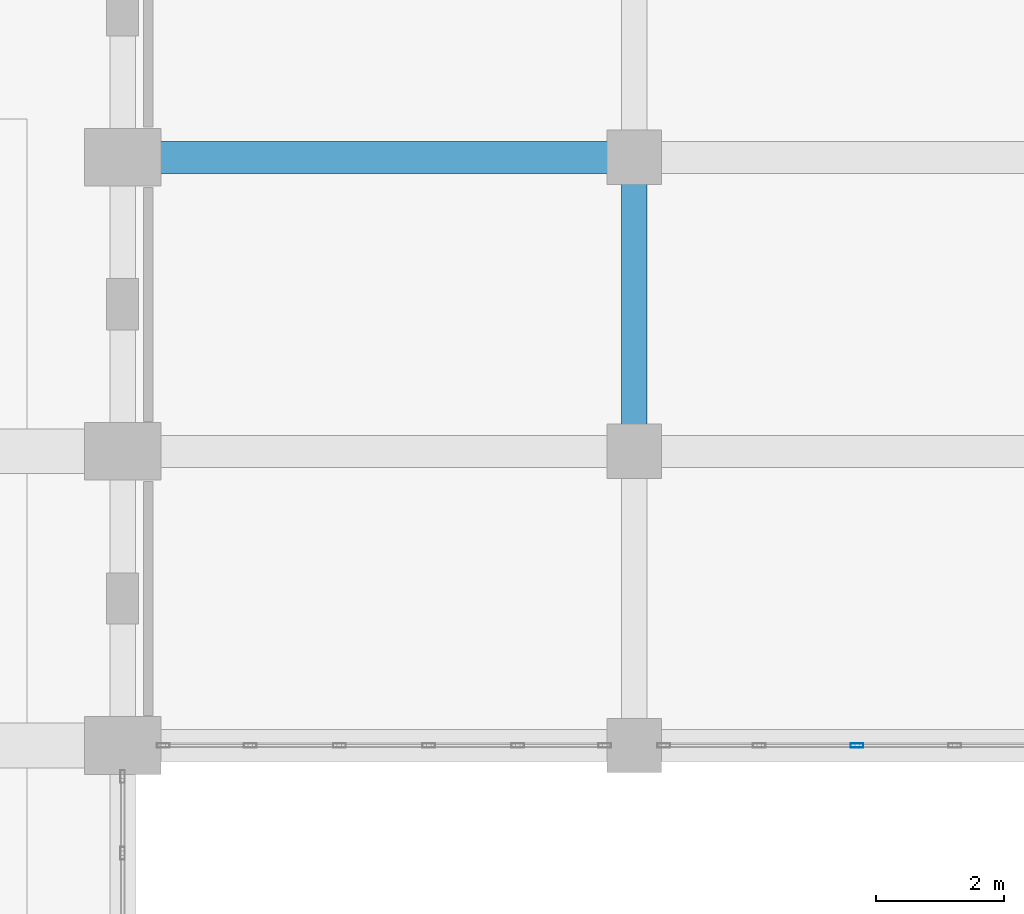
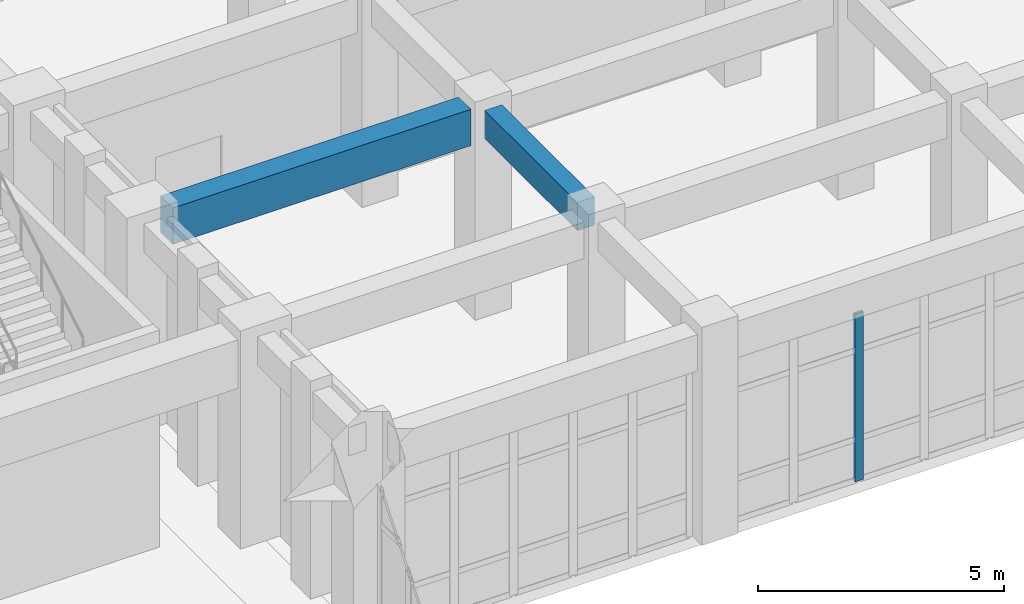
# One storey, part 43 of 84: 2 beams, 1 member, 1 element without a shape of its own.
"""IFC4 building model written with IfcOpenShell, lengths in metres."""

from ifc_helpers import new_model, si_unit, direction, frame, origin, origin_2d, place, context, subcontext, project, spatial, rectangle, hollow_rectangle, extrude, material, layer, layer_set, material_profile, profile_set, type_object, element, aggregate, save


model = new_model("IFC4")

# Units and contexts
model_context = context("Model", 3, precision=1e-05, world=origin(), true_north=direction((0.0, 1.0)))
body_context = subcontext(model_context, "Body", "Model", "MODEL_VIEW")
ifc_project = project(units=[si_unit("LENGTHUNIT", "METRE"), si_unit("AREAUNIT", "SQUARE_METRE"), si_unit("VOLUMEUNIT", "CUBIC_METRE"), si_unit("PLANEANGLEUNIT", "RADIAN"), si_unit("MASSUNIT", "GRAM", prefix="KILO")], contexts=[model_context])

# Site, building, storey
site_placement = place(None, origin())
site = spatial("IfcSite", under=ifc_project, at=site_placement, CompositionType="ELEMENT")
building_placement = place(site_placement, origin())
building = spatial("IfcBuilding", under=site, at=building_placement, Name="Muzn Square Opera House", CompositionType="ELEMENT")
storey_placement = place(building_placement, origin())
storey = spatial("IfcBuildingStorey", under=building, at=storey_placement, Name="L00", CompositionType="ELEMENT", Elevation=0.0)

# Curtain wall, member
ifc_material_1 = material(Name="Low-E laminated acoustic double glazing", Category="glass")
ifc_layer = layer(ifc_material_1, 0.159912109375, Name="Low-E laminated acoustic double glazing", Category="glass")
ifc_layer_set = layer_set([ifc_layer], Name="Low-E laminated acoustic double glazing")
curtain_wall_type = type_object("IfcCurtainWallType", Name="Glazed Curtain Wall EastCloisterN 7650x4150", PredefinedType="USERDEFINED", material=ifc_layer_set)
curtain_wall_placement = place(storey_placement, origin())
curtain_wall = element("IfcCurtainWall", 1, at=curtain_wall_placement, inside=storey, type_object=curtain_wall_type, Name="Glazed Curtain Wall CW-L00-078", ObjectType="GLAZED CURTAIN WALL", PredefinedType="USERDEFINED")
ifc_material_2 = material(Name="Anodised bronze aluminium 6063-T6", Category="metal")
ifc_material_profile_1 = material_profile(ifc_material_2, hollow_rectangle(XDim=0.070068359375, YDim=0.199951171875, WallThickness=0.0048828125, at=origin_2d()), Name="ALU 200x70x5", Category="metal")
ifc_profile_set_1 = profile_set([ifc_material_profile_1], Name="Anodised bronze aluminium 6063-T6")
member_type = type_object("IfcMemberType", Name="Curtain Wall Mullion 200x70", PredefinedType="MULLION", material=ifc_profile_set_1)
member_placement = place(storey_placement, frame((144.485107421875, 54.199951171875, 0.0), z_axis=(0.0, 0.0, 1.0), x_axis=(0.0, 1.0, 0.0)))
member = element("IfcMember", 2, at=member_placement, type_object=member_type, Name="CW-ECN-76x41 mullion 3", PredefinedType="MULLION", context=body_context, shape_type="SweptSolid", body=[
    extrude(hollow_rectangle(XDim=0.070068359375, YDim=0.199951171875, WallThickness=0.0048828125, at=origin_2d()), origin(), (0.0, 0.0, 1.0), 4.14990234375),
])
aggregate(curtain_wall, [member])

# Beams
ifc_material_3 = material(Name="Concrete C40/50", Category="concrete")
ifc_material_profile_2 = material_profile(ifc_material_3, rectangle(XDim=0.39990234375, YDim=0.699951171875, at=origin_2d()), Name="RCB 400x700", Category="concrete")
ifc_profile_set_2 = profile_set([ifc_material_profile_2], Name="Concrete C40/50")
beam_type_1 = type_object("IfcBeamType", Name="Primary Girder 400x700", PredefinedType="BEAM", material=ifc_profile_set_2)
beam_1_placement = place(storey_placement, frame((141.0, 59.217041015625, 4.77001953125), z_axis=(0.0, 1.0, 0.0), x_axis=(-1.0, 0.0, 0.0)))
element("IfcBeam", 3, at=beam_1_placement, inside=storey, type_object=beam_type_1, Name="Primary Girder BM-L00-BM-PG700-1410_592_1410_630-1124", PredefinedType="BEAM", context=body_context, shape_type="SweptSolid", body=[
    extrude(rectangle(XDim=0.39990234375, YDim=0.699951171875, at=origin_2d()), origin(), (0.0, 0.0, 1.0), 3.765869140625),
])
ifc_material_profile_3 = material_profile(ifc_material_3, rectangle(XDim=0.5, YDim=0.89990234375, at=origin_2d()), Name="RCB 500x900", Category="concrete")
ifc_profile_set_3 = profile_set([ifc_material_profile_3], Name="Concrete C40/50")
beam_type_2 = type_object("IfcBeamType", Name="Primary Girder 500x900", PredefinedType="BEAM", material=ifc_profile_set_3)
beam_2_placement = place(storey_placement, frame((133.592041015625, 63.39990234375, 4.669921875), z_axis=(1.0, 0.0, 0.0), x_axis=(0.0, 1.0, 0.0)))
element("IfcBeam", 4, at=beam_2_placement, inside=storey, type_object=beam_type_2, Name="Primary Girder BM-L00-BM-PG900-1336_634_1406_634-874", PredefinedType="BEAM", context=body_context, shape_type="SweptSolid", body=[
    extrude(rectangle(XDim=0.5, YDim=0.89990234375, at=origin_2d()), origin(), (0.0, 0.0, 1.0), 6.990966796875),
])

save(model, "model.ifc")
